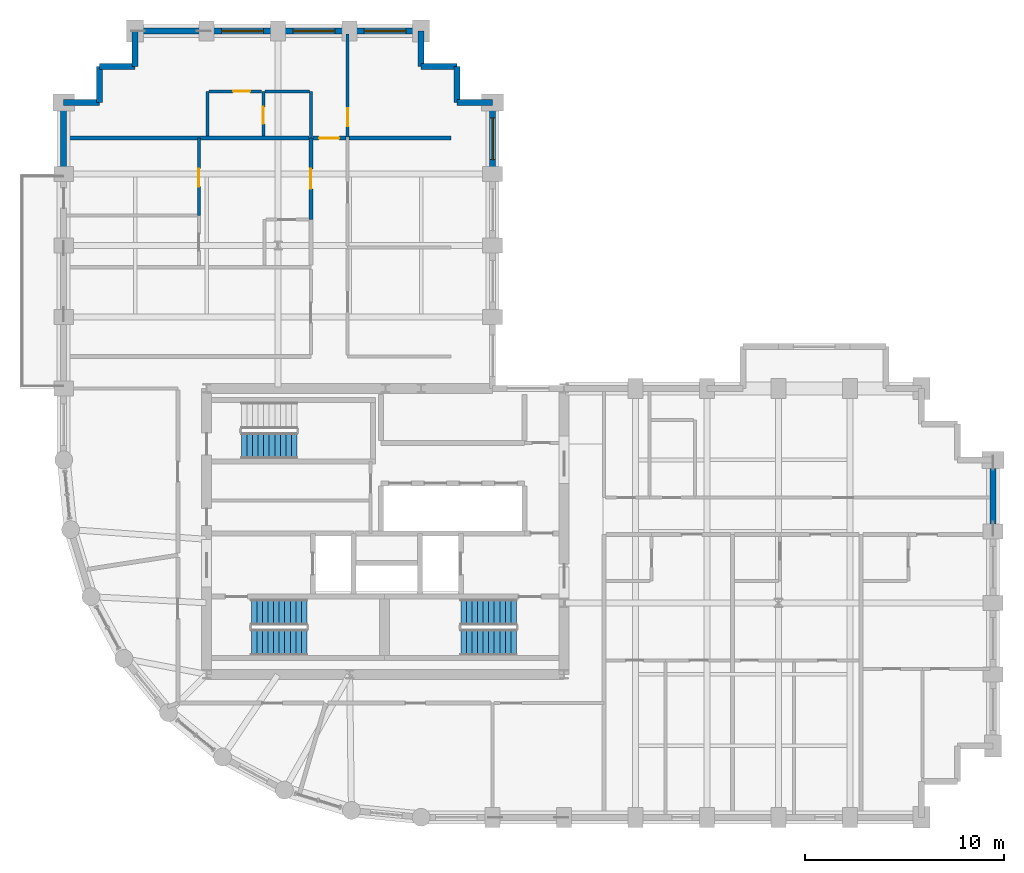
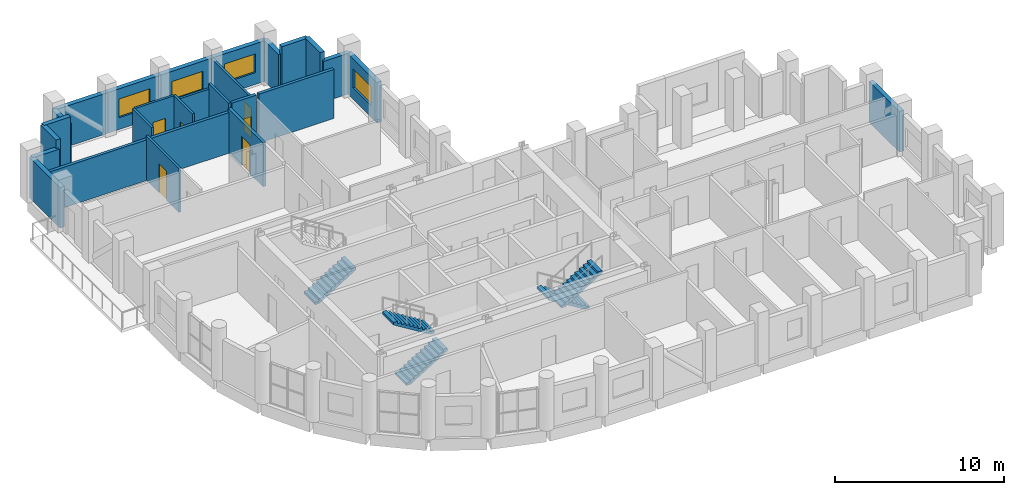
# One storey, part 13 of 15: 26 walls, 6 doors, 5 stair flights, 4 windows, 10 openings, 3 elements without a shape of their own.
"""IFC4 building model written with IfcOpenShell, lengths in metres."""

from ifc_helpers import new_model, si_unit, direction, frame, frame_2d, origin, place, context, subcontext, project, spatial, polyline, rectangle, outline, extrude, material, layer, layer_set, type_object, element, fill, aggregate, save


model = new_model("IFC4")

# Units and contexts
model_context = context("Model", 3, precision=1e-05, world=origin(), true_north=direction((0.0, 1.0)))
body_context = subcontext(model_context, "Body", "Model", "MODEL_VIEW")
ifc_project = project(units=[si_unit("LENGTHUNIT", "METRE"), si_unit("AREAUNIT", "SQUARE_METRE"), si_unit("VOLUMEUNIT", "CUBIC_METRE"), si_unit("PLANEANGLEUNIT", "RADIAN"), si_unit("MASSUNIT", "GRAM", prefix="KILO")], contexts=[model_context])

# Site, building, storey
site_placement = place(None, origin())
site = spatial("IfcSite", under=ifc_project, at=site_placement, CompositionType="ELEMENT")
building_placement = place(site_placement, origin())
building = spatial("IfcBuilding", under=site, at=building_placement, Name="Solnavia Interchange Tower", CompositionType="ELEMENT")
storey_placement = place(building_placement, frame((0.0, 0.0, 146.60009765625)))
storey = spatial("IfcBuildingStorey", under=building, at=storey_placement, Name="L36", CompositionType="ELEMENT", Elevation=146.60009765625)

# Wall, opening, door
ifc_material_1 = material(Name="Gypsum Acoustic Twin-Stud & Mineral Wool", Category="gypsum")
ifc_layer_1 = layer(ifc_material_1, 0.199951171875)
ifc_layer_set_1 = layer_set([ifc_layer_1], Name="Gypsum Acoustic Twin-Stud & Mineral Wool")
wall_type_1 = type_object("IfcWallType", Name="Wall-ApartmentParty-200", PredefinedType="PARTITIONING", material=ifc_layer_set_1)
wall_1_placement = place(storey_placement, frame((19.64990234375, 33.699951171875, 0.0), z_axis=(0.0, 0.0, 1.0), x_axis=(0.0, 1.0, 0.0)))
wall_1 = element("IfcWall", 1, at=wall_1_placement, inside=storey, type_object=wall_type_1, Name="PTW-L36-48 Interior partition wall", PredefinedType="PARTITIONING", context=body_context, shape_type="SweptSolid", body=[
    extrude(rectangle(XDim=4.10009765625, YDim=0.199951171875, at=frame_2d((2.050048828125, 0.0))), origin(), (0.0, 0.0, 1.0), 3.169921875),
])
opening_1_placement = place(wall_1_placement, frame((1.550048828125, 0.0, 0.0)))
opening_1 = element("IfcOpeningElement", 2, at=opening_1_placement, cuts=wall_1, Name="Opening DR-06", PredefinedType="OPENING", context=body_context, shape_type="SweptSolid", body=[
    extrude(rectangle(XDim=1.0, YDim=2.10009765625, at=frame_2d((0.5, 1.050048828125))), frame((0.0, 0.10986328125, 0.0), z_axis=(0.0, -1.0, 0.0), x_axis=(1.0, 0.0, 0.0)), (0.0, 0.0, 1.0), 0.219970703125),
])
ifc_material_2 = material(Name="Engineered Timber Acoustic Fire Door", Category="wood")
door_type_1 = type_object("IfcDoorType", Name="Door-FlatEntry-1000x2100", OperationType="SINGLE_SWING_LEFT", PredefinedType="DOOR", material=ifc_material_2)
door_1_placement = place(opening_1_placement, origin())
door_1 = element("IfcDoor", 3, at=door_1_placement, inside=storey, type_object=door_type_1, Name="DR-L36-23 Interior room door", OperationType="SINGLE_SWING_RIGHT", OverallHeight=2.10009765625, OverallWidth=1.0, PredefinedType="DOOR", context=body_context, shape_type="SweptSolid", body=[
    extrude(rectangle(XDim=1.0, YDim=2.10009765625, at=frame_2d((0.5, 1.050048828125))), frame((0.0, 0.02490234375, 0.0), z_axis=(0.0, -1.0, 0.0), x_axis=(1.0, 0.0, 0.0)), (0.0, 0.0, 1.0), 0.050048828125),
])
fill(opening_1, door_1)

# Walls
wall_2_placement = place(storey_placement, frame((7.35400390625, 37.800048828125, 0.0), z_axis=(0.0, 0.0, 1.0), x_axis=(1.0, 0.0, 0.0)))
element("IfcWall", 4, at=wall_2_placement, inside=storey, type_object=wall_type_1, Name="PTW-L36-56 Interior partition wall", PredefinedType="PARTITIONING", context=body_context, shape_type="SweptSolid", body=[
    extrude(rectangle(XDim=12.19189453125, YDim=0.199951171875, at=frame_2d((6.095947265625, 0.0))), origin(), (0.0, 0.0, 1.0), 2.929931640625),
])
wall_3_placement = place(storey_placement, frame((21.5791015625, 37.800048828125, 0.0), z_axis=(0.0, 0.0, 1.0), x_axis=(1.0, 0.0, 0.0)))
element("IfcWall", 5, at=wall_3_placement, inside=storey, type_object=wall_type_1, Name="PTW-L36-57 Interior partition wall", PredefinedType="PARTITIONING", context=body_context, shape_type="SweptSolid", body=[
    extrude(rectangle(XDim=5.120849609375, YDim=0.199951171875, at=frame_2d((2.560546875, 0.0))), origin(), (0.0, 0.0, 1.0), 3.534912109375),
])

# Wall, opening, door
wall_4_placement = place(storey_placement, frame((19.75390625, 37.800048828125, 0.0), z_axis=(0.0, 0.0, 1.0), x_axis=(1.0, 0.0, 0.0)))
wall_4 = element("IfcWall", 6, at=wall_4_placement, inside=storey, type_object=wall_type_1, Name="PTW-L36-58 Interior partition wall", PredefinedType="PARTITIONING", context=body_context, shape_type="SweptSolid", body=[
    extrude(rectangle(XDim=1.6669921875, YDim=0.199951171875, at=frame_2d((0.83349609375, 0.0))), origin(), (0.0, 0.0, 1.0), 3.534912109375),
])
opening_2_placement = place(wall_4_placement, frame((0.31396484375, 0.0, 0.0)))
opening_2 = element("IfcOpeningElement", 7, at=opening_2_placement, cuts=wall_4, Name="Opening DR-06", PredefinedType="OPENING", context=body_context, shape_type="SweptSolid", body=[
    extrude(rectangle(XDim=1.0, YDim=2.10009765625, at=frame_2d((0.5, 1.050048828125))), frame((0.0, 0.10986328125, 0.0), z_axis=(0.0, -1.0, 0.0), x_axis=(1.0, 0.0, 0.0)), (0.0, 0.0, 1.0), 0.219970703125),
])
door_2_placement = place(opening_2_placement, origin())
door_2 = element("IfcDoor", 8, at=door_2_placement, inside=storey, type_object=door_type_1, Name="DR-L36-28 Interior room door", OperationType="SINGLE_SWING_LEFT", OverallHeight=2.10009765625, OverallWidth=1.0, PredefinedType="DOOR", context=body_context, shape_type="SweptSolid", body=[
    extrude(rectangle(XDim=1.0, YDim=2.10009765625, at=frame_2d((0.5, 1.050048828125))), frame((0.0, 0.02490234375, 0.0), z_axis=(0.0, -1.0, 0.0), x_axis=(1.0, 0.0, 0.0)), (0.0, 0.0, 1.0), 0.050048828125),
])
fill(opening_2, door_2)

# Wall
ifc_material_3 = material(Name="Concrete C40/50", Category="concrete")
ifc_layer_2 = layer(ifc_material_3, 0.300048828125)
ifc_layer_set_2 = layer_set([ifc_layer_2], Name="Concrete C40/50")
wall_type_2 = type_object("IfcWallType", Name="Wall-ExtSpandrel-300", PredefinedType="STANDARD", material=ifc_layer_set_2)
wall_5_placement = place(storey_placement, frame((54.0, 21.60009765625, 0.0), z_axis=(0.0, 0.0, 1.0), x_axis=(0.0, -1.0, 0.0)))
element("IfcWall", 9, at=wall_5_placement, inside=storey, type_object=wall_type_2, Name="EXW-L36-15 Exterior precast spandrel wall", PredefinedType="STANDARD", context=body_context, shape_type="SweptSolid", body=[
    extrude(rectangle(XDim=3.60009765625, YDim=0.300048828125, at=frame_2d((1.800048828125, 0.0))), origin(), (0.0, 0.0, 1.0), 2.929931640625),
])

# Wall, opening, window
wall_6_placement = place(storey_placement, frame((28.800048828125, 39.60009765625, 0.0), z_axis=(0.0, 0.0, 1.0), x_axis=(0.0, -1.0, 0.0)))
wall_6 = element("IfcWall", 10, at=wall_6_placement, inside=storey, type_object=wall_type_2, Name="EXW-L36-33 Exterior precast spandrel wall", PredefinedType="STANDARD", context=body_context, shape_type="SweptSolid", body=[
    extrude(rectangle(XDim=3.60009765625, YDim=0.300048828125, at=frame_2d((1.800048828125, 0.0))), origin(), (0.0, 0.0, 1.0), 2.929931640625),
])
opening_3_placement = place(wall_6_placement, frame((0.77490234375, 0.0, 0.85009765625)))
opening_3 = element("IfcOpeningElement", 11, at=opening_3_placement, cuts=wall_6, Name="Opening WIN-01", PredefinedType="OPENING", context=body_context, shape_type="SweptSolid", body=[
    extrude(rectangle(XDim=2.10009765625, YDim=1.35009765625, at=frame_2d((1.050048828125, 0.675048828125))), frame((0.0, 0.16015625, 0.0), z_axis=(0.0, -1.0, 0.0), x_axis=(1.0, 0.0, 0.0)), (0.0, 0.0, 1.0), 0.320068359375),
])
ifc_material_4 = material(Name="Thermal-Break Aluminium & Low-E Glass", Category="aluminium")
window_type = type_object("IfcWindowType", Name="Window-Ribbon-2100x1350", PartitioningType="SINGLE_PANEL", PredefinedType="WINDOW", material=ifc_material_4)
window_1_placement = place(opening_3_placement, origin())
window_1 = element("IfcWindow", 12, at=window_1_placement, inside=storey, type_object=window_type, Name="WIN-L36-33 Facade ribbon window", OverallHeight=1.35009765625, OverallWidth=2.10009765625, PartitioningType="SINGLE_PANEL", PredefinedType="WINDOW", context=body_context, shape_type="SweptSolid", body=[
    extrude(rectangle(XDim=2.10009765625, YDim=1.35009765625, at=frame_2d((1.050048828125, 0.675048828125))), frame((0.0, 0.030029296875, 0.0), z_axis=(0.0, -1.0, 0.0), x_axis=(1.0, 0.0, 0.0)), (0.0, 0.0, 1.0), 0.06005859375),
])
fill(opening_3, window_1)

# Walls
wall_7_placement = place(storey_placement, frame((27.0, 39.60009765625, 0.0), z_axis=(0.0, 0.0, 1.0), x_axis=(1.0, 0.0, 0.0)))
element("IfcWall", 13, at=wall_7_placement, inside=storey, type_object=wall_type_2, Name="EXW-L36-34 Exterior precast spandrel wall", PredefinedType="STANDARD", context=body_context, shape_type="SweptSolid", body=[
    extrude(rectangle(XDim=1.800048828125, YDim=0.300048828125, at=frame_2d((0.89990234375, 0.0))), origin(), (0.0, 0.0, 1.0), 2.929931640625),
])
wall_8_placement = place(storey_placement, frame((27.0, 39.60009765625, 0.0), z_axis=(0.0, 0.0, 1.0), x_axis=(0.0, 1.0, 0.0)))
element("IfcWall", 14, at=wall_8_placement, inside=storey, type_object=wall_type_2, Name="EXW-L36-35 Exterior precast spandrel wall", PredefinedType="STANDARD", context=body_context, shape_type="SweptSolid", body=[
    extrude(rectangle(XDim=1.7998046875, YDim=0.300048828125, at=frame_2d((0.89990234375, 0.0))), origin(), (0.0, 0.0, 1.0), 3.534912109375),
])
wall_9_placement = place(storey_placement, frame((25.199951171875, 41.39990234375, 0.0), z_axis=(0.0, 0.0, 1.0), x_axis=(1.0, 0.0, 0.0)))
element("IfcWall", 15, at=wall_9_placement, inside=storey, type_object=wall_type_2, Name="EXW-L36-36 Exterior precast spandrel wall", PredefinedType="STANDARD", context=body_context, shape_type="SweptSolid", body=[
    extrude(rectangle(XDim=1.800048828125, YDim=0.300048828125, at=frame_2d((0.89990234375, 0.0))), origin(), (0.0, 0.0, 1.0), 3.534912109375),
])
wall_10_placement = place(storey_placement, frame((25.199951171875, 41.39990234375, 0.0), z_axis=(0.0, 0.0, 1.0), x_axis=(0.0, 1.0, 0.0)))
element("IfcWall", 16, at=wall_10_placement, inside=storey, type_object=wall_type_2, Name="EXW-L36-37 Exterior precast spandrel wall", PredefinedType="STANDARD", context=body_context, shape_type="SweptSolid", body=[
    extrude(rectangle(XDim=1.800048828125, YDim=0.300048828125, at=frame_2d((0.89990234375, 0.0))), origin(), (0.0, 0.0, 1.0), 2.929931640625),
])

# Wall, opening, window
wall_11_placement = place(storey_placement, frame((21.60009765625, 43.199951171875, 0.0), z_axis=(0.0, 0.0, 1.0), x_axis=(1.0, 0.0, 0.0)))
wall_11 = element("IfcWall", 17, at=wall_11_placement, inside=storey, type_object=wall_type_2, Name="EXW-L36-38 Exterior precast spandrel wall", PredefinedType="STANDARD", context=body_context, shape_type="SweptSolid", body=[
    extrude(rectangle(XDim=3.599853515625, YDim=0.300048828125, at=frame_2d((1.7998046875, 0.0))), origin(), (0.0, 0.0, 1.0), 2.929931640625),
])
opening_4_placement = place(wall_11_placement, frame((0.72509765625, 0.0, 0.85009765625)))
opening_4 = element("IfcOpeningElement", 18, at=opening_4_placement, cuts=wall_11, Name="Opening WIN-01", PredefinedType="OPENING", context=body_context, shape_type="SweptSolid", body=[
    extrude(rectangle(XDim=2.10009765625, YDim=1.35009765625, at=frame_2d((1.050048828125, 0.675048828125))), frame((0.0, 0.16015625, 0.0), z_axis=(0.0, -1.0, 0.0), x_axis=(1.0, 0.0, 0.0)), (0.0, 0.0, 1.0), 0.320068359375),
])
window_2_placement = place(opening_4_placement, origin())
window_2 = element("IfcWindow", 19, at=window_2_placement, inside=storey, type_object=window_type, Name="WIN-L36-38 Facade ribbon window", OverallHeight=1.35009765625, OverallWidth=2.10009765625, PartitioningType="SINGLE_PANEL", PredefinedType="WINDOW", context=body_context, shape_type="SweptSolid", body=[
    extrude(rectangle(XDim=2.10009765625, YDim=1.35009765625, at=frame_2d((1.050048828125, 0.675048828125))), frame((0.0, 0.030029296875, 0.0), z_axis=(0.0, -1.0, 0.0), x_axis=(1.0, 0.0, 0.0)), (0.0, 0.0, 1.0), 0.06005859375),
])
fill(opening_4, window_2)

wall_12_placement = place(storey_placement, frame((18.0, 43.199951171875, 0.0), z_axis=(0.0, 0.0, 1.0), x_axis=(1.0, 0.0, 0.0)))
wall_12 = element("IfcWall", 20, at=wall_12_placement, inside=storey, type_object=wall_type_2, Name="EXW-L36-39 Exterior precast spandrel wall", PredefinedType="STANDARD", context=body_context, shape_type="SweptSolid", body=[
    extrude(rectangle(XDim=3.60009765625, YDim=0.300048828125, at=frame_2d((1.800048828125, 0.0))), origin(), (0.0, 0.0, 1.0), 2.929931640625),
])
opening_5_placement = place(wall_12_placement, frame((0.75, 0.0, 0.85009765625)))
opening_5 = element("IfcOpeningElement", 21, at=opening_5_placement, cuts=wall_12, Name="Opening WIN-01", PredefinedType="OPENING", context=body_context, shape_type="SweptSolid", body=[
    extrude(rectangle(XDim=2.10009765625, YDim=1.35009765625, at=frame_2d((1.050048828125, 0.675048828125))), frame((0.0, 0.16015625, 0.0), z_axis=(0.0, -1.0, 0.0), x_axis=(1.0, 0.0, 0.0)), (0.0, 0.0, 1.0), 0.320068359375),
])
window_3_placement = place(opening_5_placement, origin())
window_3 = element("IfcWindow", 22, at=window_3_placement, inside=storey, type_object=window_type, Name="WIN-L36-39 Facade ribbon window", OverallHeight=1.35009765625, OverallWidth=2.10009765625, PartitioningType="SINGLE_PANEL", PredefinedType="WINDOW", context=body_context, shape_type="SweptSolid", body=[
    extrude(rectangle(XDim=2.10009765625, YDim=1.35009765625, at=frame_2d((1.050048828125, 0.675048828125))), frame((0.0, 0.030029296875, 0.0), z_axis=(0.0, -1.0, 0.0), x_axis=(1.0, 0.0, 0.0)), (0.0, 0.0, 1.0), 0.06005859375),
])
fill(opening_5, window_3)

wall_13_placement = place(storey_placement, frame((14.39990234375, 43.199951171875, 0.0), z_axis=(0.0, 0.0, 1.0), x_axis=(1.0, 0.0, 0.0)))
wall_13 = element("IfcWall", 23, at=wall_13_placement, inside=storey, type_object=wall_type_2, Name="EXW-L36-40 Exterior precast spandrel wall", PredefinedType="STANDARD", context=body_context, shape_type="SweptSolid", body=[
    extrude(rectangle(XDim=3.60009765625, YDim=0.300048828125, at=frame_2d((1.800048828125, 0.0))), origin(), (0.0, 0.0, 1.0), 2.929931640625),
])
opening_6_placement = place(wall_13_placement, frame((0.75, 0.0, 0.85009765625)))
opening_6 = element("IfcOpeningElement", 24, at=opening_6_placement, cuts=wall_13, Name="Opening WIN-01", PredefinedType="OPENING", context=body_context, shape_type="SweptSolid", body=[
    extrude(rectangle(XDim=2.10009765625, YDim=1.35009765625, at=frame_2d((1.050048828125, 0.675048828125))), frame((0.0, 0.16015625, 0.0), z_axis=(0.0, -1.0, 0.0), x_axis=(1.0, 0.0, 0.0)), (0.0, 0.0, 1.0), 0.320068359375),
])
window_4_placement = place(opening_6_placement, origin())
window_4 = element("IfcWindow", 25, at=window_4_placement, inside=storey, type_object=window_type, Name="WIN-L36-40 Facade ribbon window", OverallHeight=1.35009765625, OverallWidth=2.10009765625, PartitioningType="SINGLE_PANEL", PredefinedType="WINDOW", context=body_context, shape_type="SweptSolid", body=[
    extrude(rectangle(XDim=2.10009765625, YDim=1.35009765625, at=frame_2d((1.050048828125, 0.675048828125))), frame((0.0, 0.030029296875, 0.0), z_axis=(0.0, -1.0, 0.0), x_axis=(1.0, 0.0, 0.0)), (0.0, 0.0, 1.0), 0.06005859375),
])
fill(opening_6, window_4)

# Walls
wall_14_placement = place(storey_placement, frame((10.800048828125, 43.199951171875, 0.0), z_axis=(0.0, 0.0, 1.0), x_axis=(1.0, 0.0, 0.0)))
element("IfcWall", 26, at=wall_14_placement, inside=storey, type_object=wall_type_2, Name="EXW-L36-41 Exterior precast spandrel wall", PredefinedType="STANDARD", context=body_context, shape_type="SweptSolid", body=[
    extrude(rectangle(XDim=3.599853515625, YDim=0.300048828125, at=frame_2d((1.7998046875, 0.0))), origin(), (0.0, 0.0, 1.0), 2.929931640625),
])
wall_15_placement = place(storey_placement, frame((10.800048828125, 41.39990234375, 0.0), z_axis=(0.0, 0.0, 1.0), x_axis=(0.0, 1.0, 0.0)))
element("IfcWall", 27, at=wall_15_placement, inside=storey, type_object=wall_type_2, Name="EXW-L36-42 Exterior precast spandrel wall", PredefinedType="STANDARD", context=body_context, shape_type="SweptSolid", body=[
    extrude(rectangle(XDim=1.800048828125, YDim=0.300048828125, at=frame_2d((0.89990234375, 0.0))), origin(), (0.0, 0.0, 1.0), 2.929931640625),
])
wall_16_placement = place(storey_placement, frame((9.0, 41.39990234375, 0.0), z_axis=(0.0, 0.0, 1.0), x_axis=(1.0, 0.0, 0.0)))
element("IfcWall", 28, at=wall_16_placement, inside=storey, type_object=wall_type_2, Name="EXW-L36-43 Exterior precast spandrel wall", PredefinedType="STANDARD", context=body_context, shape_type="SweptSolid", body=[
    extrude(rectangle(XDim=1.800048828125, YDim=0.300048828125, at=frame_2d((0.89990234375, 0.0))), origin(), (0.0, 0.0, 1.0), 3.534912109375),
])
wall_17_placement = place(storey_placement, frame((9.0, 39.60009765625, 0.0), z_axis=(0.0, 0.0, 1.0), x_axis=(0.0, 1.0, 0.0)))
element("IfcWall", 29, at=wall_17_placement, inside=storey, type_object=wall_type_2, Name="EXW-L36-44 Exterior precast spandrel wall", PredefinedType="STANDARD", context=body_context, shape_type="SweptSolid", body=[
    extrude(rectangle(XDim=1.7998046875, YDim=0.300048828125, at=frame_2d((0.89990234375, 0.0))), origin(), (0.0, 0.0, 1.0), 3.534912109375),
])
wall_18_placement = place(storey_placement, frame((7.199951171875, 39.60009765625, 0.0), z_axis=(0.0, 0.0, 1.0), x_axis=(1.0, 0.0, 0.0)))
element("IfcWall", 30, at=wall_18_placement, inside=storey, type_object=wall_type_2, Name="EXW-L36-45 Exterior precast spandrel wall", PredefinedType="STANDARD", context=body_context, shape_type="SweptSolid", body=[
    extrude(rectangle(XDim=1.800048828125, YDim=0.300048828125, at=frame_2d((0.89990234375, 0.0))), origin(), (0.0, 0.0, 1.0), 2.929931640625),
])
wall_19_placement = place(storey_placement, frame((7.199951171875, 36.0, 0.0), z_axis=(0.0, 0.0, 1.0), x_axis=(0.0, 1.0, 0.0)))
element("IfcWall", 31, at=wall_19_placement, inside=storey, type_object=wall_type_2, Name="EXW-L36-46 Exterior precast spandrel wall", PredefinedType="STANDARD", context=body_context, shape_type="SweptSolid", body=[
    extrude(rectangle(XDim=3.60009765625, YDim=0.300048828125, at=frame_2d((1.800048828125, 0.0))), origin(), (0.0, 0.0, 1.0), 2.929931640625),
])

# Wall, opening, door
ifc_material_5 = material(Name="Gypsum Plasterboard & Steel Stud", Category="steel")
ifc_layer_3 = layer(ifc_material_5, 0.14990234375)
ifc_layer_set_3 = layer_set([ifc_layer_3], Name="Gypsum Plasterboard & Steel Stud")
wall_type_3 = type_object("IfcWallType", Name="Wall-Partition-150", PredefinedType="PARTITIONING", material=ifc_layer_set_3)
wall_20_placement = place(storey_placement, frame((14.010009765625, 33.89990234375, 0.0), z_axis=(0.0, 0.0, 1.0), x_axis=(0.0, 1.0, 0.0)))
wall_20 = element("IfcWall", 32, at=wall_20_placement, inside=storey, type_object=wall_type_3, Name="PTW-L36-49 Interior partition wall", PredefinedType="PARTITIONING", context=body_context, shape_type="SweptSolid", body=[
    extrude(rectangle(XDim=3.900146484375, YDim=0.14990234375, at=frame_2d((1.9501953125, 0.0))), origin(), (0.0, 0.0, 1.0), 3.169921875),
])
opening_7_placement = place(wall_20_placement, frame((1.4609375, 0.0, 0.0)))
opening_7 = element("IfcOpeningElement", 33, at=opening_7_placement, cuts=wall_20, Name="Opening DR-09", PredefinedType="OPENING", context=body_context, shape_type="SweptSolid", body=[
    extrude(rectangle(XDim=0.89990234375, YDim=2.10009765625, at=frame_2d((0.449951171875, 1.050048828125))), frame((0.0, 0.0849609375, 0.0), z_axis=(0.0, -1.0, 0.0), x_axis=(1.0, 0.0, 0.0)), (0.0, 0.0, 1.0), 0.169921875),
])
ifc_material_6 = material(Name="Engineered Oak Veneer Door", Category="wood")
door_type_2 = type_object("IfcDoorType", Name="Door-Internal-900x2100", OperationType="SINGLE_SWING_LEFT", PredefinedType="DOOR", material=ifc_material_6)
door_3_placement = place(opening_7_placement, origin())
door_3 = element("IfcDoor", 34, at=door_3_placement, inside=storey, type_object=door_type_2, Name="DR-L36-24 Interior room door", OperationType="SINGLE_SWING_LEFT", OverallHeight=2.10009765625, OverallWidth=0.89990234375, PredefinedType="DOOR", context=body_context, shape_type="SweptSolid", body=[
    extrude(rectangle(XDim=0.89990234375, YDim=2.10009765625, at=frame_2d((0.449951171875, 1.050048828125))), frame((0.0, 0.02490234375, 0.0), z_axis=(0.0, -1.0, 0.0), x_axis=(1.0, 0.0, 0.0)), (0.0, 0.0, 1.0), 0.050048828125),
])
fill(opening_7, door_3)

wall_21_placement = place(storey_placement, frame((21.5, 37.84619140625, 0.0), z_axis=(0.0, 0.0, 1.0), x_axis=(0.0, 1.0, 0.0)))
wall_21 = element("IfcWall", 35, at=wall_21_placement, inside=storey, type_object=wall_type_3, Name="PTW-L36-62 Interior partition wall", PredefinedType="PARTITIONING", context=body_context, shape_type="SweptSolid", body=[
    extrude(rectangle(XDim=5.19970703125, YDim=0.14990234375, at=frame_2d((2.599853515625, 0.0))), origin(), (0.0, 0.0, 1.0), 2.929931640625),
])
opening_8_placement = place(wall_21_placement, frame((0.550048828125, 0.0, 0.0)))
opening_8 = element("IfcOpeningElement", 36, at=opening_8_placement, cuts=wall_21, Name="Opening DR-09", PredefinedType="OPENING", context=body_context, shape_type="SweptSolid", body=[
    extrude(rectangle(XDim=0.89990234375, YDim=2.10009765625, at=frame_2d((0.449951171875, 1.050048828125))), frame((0.0, 0.0849609375, 0.0), z_axis=(0.0, -1.0, 0.0), x_axis=(1.0, 0.0, 0.0)), (0.0, 0.0, 1.0), 0.169921875),
])
door_4_placement = place(opening_8_placement, origin())
door_4 = element("IfcDoor", 37, at=door_4_placement, inside=storey, type_object=door_type_2, Name="DR-L36-30 Interior room door", OperationType="SINGLE_SWING_RIGHT", OverallHeight=2.10009765625, OverallWidth=0.89990234375, PredefinedType="DOOR", context=body_context, shape_type="SweptSolid", body=[
    extrude(rectangle(XDim=0.89990234375, YDim=2.10009765625, at=frame_2d((0.449951171875, 1.050048828125))), frame((0.0, 0.02490234375, 0.0), z_axis=(0.0, -1.0, 0.0), x_axis=(1.0, 0.0, 0.0)), (0.0, 0.0, 1.0), 0.050048828125),
])
fill(opening_8, door_4)

# Wall
ifc_material_7 = material(Name="Moisture-Resistant Gypsum & Steel Stud", Category="steel")
ifc_layer_4 = layer(ifc_material_7, 0.14990234375)
ifc_layer_set_4 = layer_set([ifc_layer_4], Name="Moisture-Resistant Gypsum & Steel Stud")
wall_type_4 = type_object("IfcWallType", Name="Wall-WetRoom-150", PredefinedType="PARTITIONING", material=ifc_layer_set_4)
wall_22_placement = place(storey_placement, frame((19.64990234375, 37.800048828125, 0.0), z_axis=(0.0, 0.0, 1.0), x_axis=(0.0, 1.0, 0.0)))
element("IfcWall", 38, at=wall_22_placement, inside=storey, type_object=wall_type_4, Name="PTW-L36-59 Interior partition wall", PredefinedType="PARTITIONING", context=body_context, shape_type="SweptSolid", body=[
    extrude(rectangle(XDim=2.349853515625, YDim=0.14990234375, at=frame_2d((1.1748046875, 0.0))), origin(), (0.0, 0.0, 1.0), 3.534912109375),
])

# Wall, opening, door
wall_23_placement = place(storey_placement, frame((17.25, 37.904052734375, 0.0), z_axis=(0.0, 0.0, 1.0), x_axis=(0.0, 1.0, 0.0)))
wall_23 = element("IfcWall", 39, at=wall_23_placement, inside=storey, type_object=wall_type_4, Name="PTW-L36-60 Interior partition wall", PredefinedType="PARTITIONING", context=body_context, shape_type="SweptSolid", body=[
    extrude(rectangle(XDim=2.245849609375, YDim=0.14990234375, at=frame_2d((1.123046875, 0.0))), origin(), (0.0, 0.0, 1.0), 3.534912109375),
])
opening_9_placement = place(wall_23_placement, frame((0.615966796875, 0.0, 0.0)))
opening_9 = element("IfcOpeningElement", 40, at=opening_9_placement, cuts=wall_23, Name="Opening DR-10", PredefinedType="OPENING", context=body_context, shape_type="SweptSolid", body=[
    extrude(rectangle(XDim=0.85009765625, YDim=2.10009765625, at=frame_2d((0.425048828125, 1.050048828125))), frame((0.0, 0.0849609375, 0.0), z_axis=(0.0, -1.0, 0.0), x_axis=(1.0, 0.0, 0.0)), (0.0, 0.0, 1.0), 0.169921875),
])
ifc_material_8 = material(Name="Moisture-Resistant Timber Door", Category="wood")
door_type_3 = type_object("IfcDoorType", Name="Door-Bathroom-850x2100", OperationType="SINGLE_SWING_RIGHT", PredefinedType="DOOR", material=ifc_material_8)
door_5_placement = place(opening_9_placement, origin())
door_5 = element("IfcDoor", 41, at=door_5_placement, inside=storey, type_object=door_type_3, Name="DR-L36-29 Interior room door", OperationType="SINGLE_SWING_LEFT", OverallHeight=2.10009765625, OverallWidth=0.85009765625, PredefinedType="DOOR", context=body_context, shape_type="SweptSolid", body=[
    extrude(rectangle(XDim=0.85009765625, YDim=2.10009765625, at=frame_2d((0.425048828125, 1.050048828125))), frame((0.0, 0.02490234375, 0.0), z_axis=(0.0, -1.0, 0.0), x_axis=(1.0, 0.0, 0.0)), (0.0, 0.0, 1.0), 0.050048828125),
])
fill(opening_9, door_5)

# Walls
wall_24_placement = place(storey_placement, frame((17.3291015625, 40.14990234375, 0.0), z_axis=(0.0, 0.0, 1.0), x_axis=(1.0, 0.0, 0.0)))
element("IfcWall", 42, at=wall_24_placement, inside=storey, type_object=wall_type_4, Name="PTW-L36-61 Interior partition wall", PredefinedType="PARTITIONING", context=body_context, shape_type="SweptSolid", body=[
    extrude(rectangle(XDim=2.241943359375, YDim=0.14990234375, at=frame_2d((1.12109375, 0.0))), origin(), (0.0, 0.0, 1.0), 3.169921875),
])
wall_25_placement = place(storey_placement, frame((14.449951171875, 37.904052734375, 0.0), z_axis=(0.0, 0.0, 1.0), x_axis=(0.0, 1.0, 0.0)))
element("IfcWall", 43, at=wall_25_placement, inside=storey, type_object=wall_type_4, Name="PTW-L36-63 Interior partition wall", PredefinedType="PARTITIONING", context=body_context, shape_type="SweptSolid", body=[
    extrude(rectangle(XDim=2.245849609375, YDim=0.14990234375, at=frame_2d((1.123046875, 0.0))), origin(), (0.0, 0.0, 1.0), 3.534912109375),
])

# Wall, opening, door
wall_26_placement = place(storey_placement, frame((14.529052734375, 40.14990234375, 0.0), z_axis=(0.0, 0.0, 1.0), x_axis=(1.0, 0.0, 0.0)))
wall_26 = element("IfcWall", 44, at=wall_26_placement, inside=storey, type_object=wall_type_4, Name="PTW-L36-64 Interior partition wall", PredefinedType="PARTITIONING", context=body_context, shape_type="SweptSolid", body=[
    extrude(rectangle(XDim=2.641845703125, YDim=0.14990234375, at=frame_2d((1.32080078125, 0.0))), origin(), (0.0, 0.0, 1.0), 3.534912109375),
])
opening_10_placement = place(wall_26_placement, frame((1.2041015625, 0.0, 0.0)))
opening_10 = element("IfcOpeningElement", 45, at=opening_10_placement, cuts=wall_26, Name="Opening DR-10", PredefinedType="OPENING", context=body_context, shape_type="SweptSolid", body=[
    extrude(rectangle(XDim=0.85009765625, YDim=2.10009765625, at=frame_2d((0.425048828125, 1.050048828125))), frame((0.0, 0.0849609375, 0.0), z_axis=(0.0, -1.0, 0.0), x_axis=(1.0, 0.0, 0.0)), (0.0, 0.0, 1.0), 0.169921875),
])
door_6_placement = place(opening_10_placement, origin())
door_6 = element("IfcDoor", 46, at=door_6_placement, inside=storey, type_object=door_type_3, Name="DR-L36-31 Interior room door", OperationType="SINGLE_SWING_LEFT", OverallHeight=2.10009765625, OverallWidth=0.85009765625, PredefinedType="DOOR", context=body_context, shape_type="SweptSolid", body=[
    extrude(rectangle(XDim=0.85009765625, YDim=2.10009765625, at=frame_2d((0.425048828125, 1.050048828125))), frame((0.0, 0.02490234375, 0.0), z_axis=(0.0, -1.0, 0.0), x_axis=(1.0, 0.0, 0.0)), (0.0, 0.0, 1.0), 0.050048828125),
])
fill(opening_10, door_6)

# Stair, stair flights
stair_type = type_object("IfcStairType", Name="Stair-Dogleg-RC", PredefinedType="HALF_TURN_STAIR", material=ifc_material_3)
stair_1_placement = place(storey_placement, origin())
stair_1 = element("IfcStair", 47, at=stair_1_placement, inside=storey, type_object=stair_type, Name="L36 Core exit stair 1", PredefinedType="HALF_TURN_STAIR")
stair_flight_type = type_object("IfcStairFlightType", Name="StairFlight-RC-150", PredefinedType="STRAIGHT", material=ifc_material_3)
stair_flight_1_placement = place(storey_placement, frame((16.64990234375, 12.409912109375, 0.0), z_axis=(0.0, 0.0, 1.0), x_axis=(1.0, 0.0, 0.0)))
stair_flight_1 = element("IfcStairFlight", 48, at=stair_flight_1_placement, type_object=stair_flight_type, Name="ST-1 flight 1", NumberOfRisers=11, NumberOfTreads=10, PredefinedType="STRAIGHT", RiserHeight=0.172727273, TreadLength=0.28, context=body_context, shape_type="SweptSolid", body=[
    extrude(outline(polyline([(0.0, 0.0), (0.0, 0.172607421875), (0.280029296875, 0.172607421875), (0.280029296875, 0.345458984375), (0.56005859375, 0.345458984375), (0.56005859375, 0.51806640625), (0.840087890625, 0.51806640625), (0.840087890625, 0.69091796875), (1.1201171875, 0.69091796875), (1.1201171875, 0.863525390625), (1.39990234375, 0.863525390625), (1.39990234375, 1.036376953125), (1.679931640625, 1.036376953125), (1.679931640625, 1.208984375), (1.9599609375, 1.208984375), (1.9599609375, 1.3818359375), (2.239990234375, 1.3818359375), (2.239990234375, 1.554443359375), (2.52001953125, 1.554443359375), (2.52001953125, 1.727294921875), (2.800048828125, 1.727294921875), (2.800048828125, 1.89990234375), (2.800048828125, 1.551025390625), (0.285400390625, 0.0), (0.0, 0.0)])), frame((0.0, 0.66015625, 0.0), z_axis=(0.0, -1.0, 0.0), x_axis=(1.0, 0.0, 0.0)), (0.0, 0.0, 1.0), 1.320068359375),
])
stair_flight_2_placement = place(storey_placement, frame((19.449951171875, 13.929931640625, 1.89990234375), z_axis=(0.0, 0.0, 1.0), x_axis=(-1.0, 0.0, 0.0)))
stair_flight_2 = element("IfcStairFlight", 49, at=stair_flight_2_placement, type_object=stair_flight_type, Name="ST-1 flight 2", NumberOfRisers=11, NumberOfTreads=10, PredefinedType="STRAIGHT", RiserHeight=0.172727273, TreadLength=0.28, context=body_context, shape_type="SweptSolid", body=[
    extrude(outline(polyline([(0.0, 0.0), (0.0, 0.172607421875), (0.280029296875, 0.172607421875), (0.280029296875, 0.345458984375), (0.56005859375, 0.345458984375), (0.56005859375, 0.51806640625), (0.840087890625, 0.51806640625), (0.840087890625, 0.69091796875), (1.1201171875, 0.69091796875), (1.1201171875, 0.863525390625), (1.39990234375, 0.863525390625), (1.39990234375, 1.036376953125), (1.679931640625, 1.036376953125), (1.679931640625, 1.208984375), (1.9599609375, 1.208984375), (1.9599609375, 1.3818359375), (2.239990234375, 1.3818359375), (2.239990234375, 1.554443359375), (2.52001953125, 1.554443359375), (2.52001953125, 1.727294921875), (2.800048828125, 1.727294921875), (2.800048828125, 1.89990234375), (2.800048828125, 1.551025390625), (0.285400390625, 0.0), (0.0, 0.0)])), frame((0.0, 0.66015625, 0.0), z_axis=(0.0, -1.0, 0.0), x_axis=(1.0, 0.0, 0.0)), (0.0, 0.0, 1.0), 1.320068359375),
])
aggregate(stair_1, [stair_flight_1, stair_flight_2])

stair_2_placement = place(storey_placement, origin())
stair_2 = element("IfcStair", 50, at=stair_2_placement, inside=storey, type_object=stair_type, Name="L36 Core exit stair 2", PredefinedType="HALF_TURN_STAIR")
stair_flight_3_placement = place(storey_placement, frame((30.0, 13.929931640625, 0.0), z_axis=(0.0, 0.0, 1.0), x_axis=(-1.0, 0.0, 0.0)))
stair_flight_3 = element("IfcStairFlight", 51, at=stair_flight_3_placement, type_object=stair_flight_type, Name="ST-2 flight 1", NumberOfRisers=11, NumberOfTreads=10, PredefinedType="STRAIGHT", RiserHeight=0.172727273, TreadLength=0.28, context=body_context, shape_type="SweptSolid", body=[
    extrude(outline(polyline([(0.0, 0.0), (0.0, 0.172607421875), (0.280029296875, 0.172607421875), (0.280029296875, 0.345458984375), (0.56005859375, 0.345458984375), (0.56005859375, 0.51806640625), (0.840087890625, 0.51806640625), (0.840087890625, 0.69091796875), (1.1201171875, 0.69091796875), (1.1201171875, 0.863525390625), (1.39990234375, 0.863525390625), (1.39990234375, 1.036376953125), (1.679931640625, 1.036376953125), (1.679931640625, 1.208984375), (1.9599609375, 1.208984375), (1.9599609375, 1.3818359375), (2.239990234375, 1.3818359375), (2.239990234375, 1.554443359375), (2.52001953125, 1.554443359375), (2.52001953125, 1.727294921875), (2.800048828125, 1.727294921875), (2.800048828125, 1.89990234375), (2.800048828125, 1.551025390625), (0.285400390625, 0.0), (0.0, 0.0)])), frame((0.0, 0.66015625, 0.0), z_axis=(0.0, -1.0, 0.0), x_axis=(1.0, 0.0, 0.0)), (0.0, 0.0, 1.0), 1.320068359375),
])
stair_flight_4_placement = place(storey_placement, frame((27.199951171875, 12.409912109375, 1.89990234375), z_axis=(0.0, 0.0, 1.0), x_axis=(1.0, 0.0, 0.0)))
stair_flight_4 = element("IfcStairFlight", 52, at=stair_flight_4_placement, type_object=stair_flight_type, Name="ST-2 flight 2", NumberOfRisers=11, NumberOfTreads=10, PredefinedType="STRAIGHT", RiserHeight=0.172727273, TreadLength=0.28, context=body_context, shape_type="SweptSolid", body=[
    extrude(outline(polyline([(0.0, 0.0), (0.0, 0.172607421875), (0.280029296875, 0.172607421875), (0.280029296875, 0.345458984375), (0.56005859375, 0.345458984375), (0.56005859375, 0.51806640625), (0.840087890625, 0.51806640625), (0.840087890625, 0.69091796875), (1.1201171875, 0.69091796875), (1.1201171875, 0.863525390625), (1.39990234375, 0.863525390625), (1.39990234375, 1.036376953125), (1.679931640625, 1.036376953125), (1.679931640625, 1.208984375), (1.9599609375, 1.208984375), (1.9599609375, 1.3818359375), (2.239990234375, 1.3818359375), (2.239990234375, 1.554443359375), (2.52001953125, 1.554443359375), (2.52001953125, 1.727294921875), (2.800048828125, 1.727294921875), (2.800048828125, 1.89990234375), (2.800048828125, 1.551025390625), (0.285400390625, 0.0), (0.0, 0.0)])), frame((0.0, 0.66015625, 0.0), z_axis=(0.0, -1.0, 0.0), x_axis=(1.0, 0.0, 0.0)), (0.0, 0.0, 1.0), 1.320068359375),
])
aggregate(stair_2, [stair_flight_3, stair_flight_4])

# Stair, stair flight
stair_3_placement = place(storey_placement, origin())
stair_3 = element("IfcStair", 53, at=stair_3_placement, inside=storey, type_object=stair_type, Name="L36 Core exit stair 3", PredefinedType="HALF_TURN_STAIR")
stair_flight_5_placement = place(storey_placement, frame((16.14990234375, 22.31005859375, 0.0), z_axis=(0.0, 0.0, 1.0), x_axis=(1.0, 0.0, 0.0)))
stair_flight_5 = element("IfcStairFlight", 54, at=stair_flight_5_placement, type_object=stair_flight_type, Name="ST-3 flight 1", NumberOfRisers=11, NumberOfTreads=10, PredefinedType="STRAIGHT", RiserHeight=0.172727273, TreadLength=0.28, context=body_context, shape_type="SweptSolid", body=[
    extrude(outline(polyline([(0.0, 0.0), (0.0, 0.172607421875), (0.280029296875, 0.172607421875), (0.280029296875, 0.345458984375), (0.56005859375, 0.345458984375), (0.56005859375, 0.51806640625), (0.840087890625, 0.51806640625), (0.840087890625, 0.69091796875), (1.1201171875, 0.69091796875), (1.1201171875, 0.863525390625), (1.39990234375, 0.863525390625), (1.39990234375, 1.036376953125), (1.679931640625, 1.036376953125), (1.679931640625, 1.208984375), (1.9599609375, 1.208984375), (1.9599609375, 1.3818359375), (2.239990234375, 1.3818359375), (2.239990234375, 1.554443359375), (2.52001953125, 1.554443359375), (2.52001953125, 1.727294921875), (2.800048828125, 1.727294921875), (2.800048828125, 1.89990234375), (2.800048828125, 1.551025390625), (0.285400390625, 0.0), (0.0, 0.0)])), frame((0.0, 0.66015625, 0.0), z_axis=(0.0, -1.0, 0.0), x_axis=(1.0, 0.0, 0.0)), (0.0, 0.0, 1.0), 1.320068359375),
])
aggregate(stair_3, [stair_flight_5])

save(model, "model.ifc")
